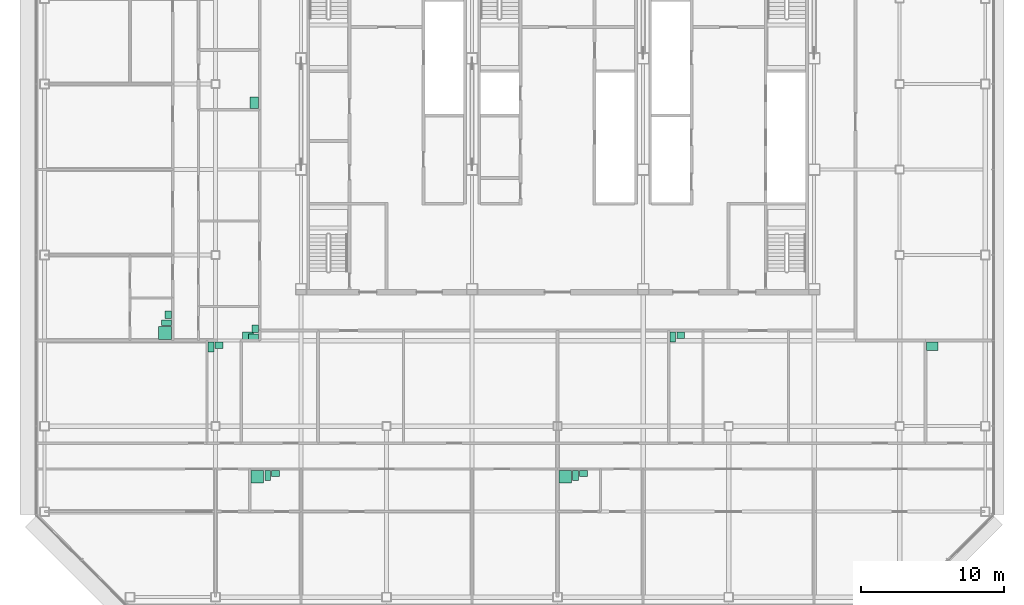
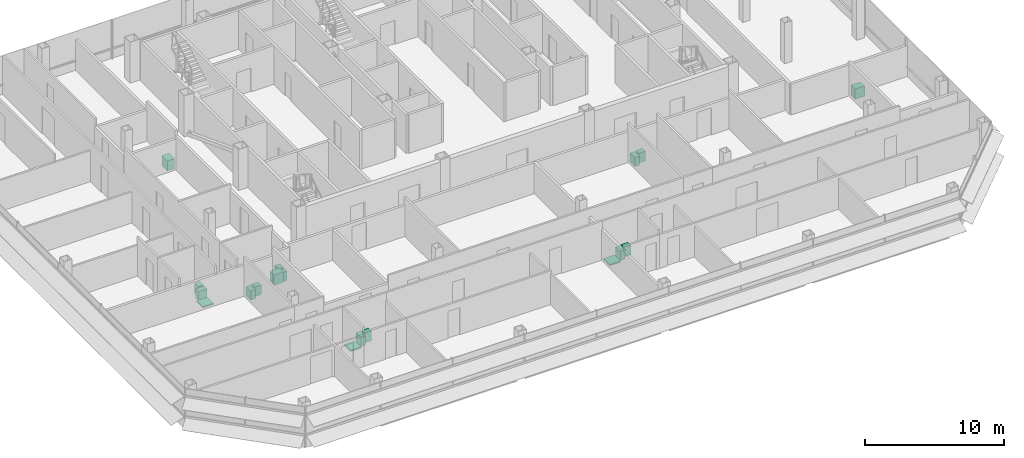
# One storey, part 26 of 26: 18 sanitary terminals.
"""IFC4 building model written with IfcOpenShell, lengths in metres."""

from ifc_helpers import new_model, si_unit, direction, frame, origin, origin_2d, place, context, subcontext, project, spatial, rectangle, extrude, element, save


model = new_model("IFC4")

# Units and contexts
model_context = context("Model", 3, precision=1e-05, world=origin(), true_north=direction((0.0, 1.0)))
body_context = subcontext(model_context, "Body", "Model", "MODEL_VIEW")
ifc_project = project(units=[si_unit("LENGTHUNIT", "METRE"), si_unit("AREAUNIT", "SQUARE_METRE"), si_unit("VOLUMEUNIT", "CUBIC_METRE"), si_unit("PLANEANGLEUNIT", "RADIAN"), si_unit("MASSUNIT", "GRAM", prefix="KILO")], contexts=[model_context])

# Site, building, storey
site_placement = place(None, origin())
site = spatial("IfcSite", under=ifc_project, at=site_placement, CompositionType="ELEMENT")
building_placement = place(site_placement, origin())
building = spatial("IfcBuilding", under=site, at=building_placement, Name="Sorahane Residences", CompositionType="ELEMENT")
storey_placement = place(building_placement, frame((0.0, 0.0, 219.0)))
storey = spatial("IfcBuildingStorey", under=building, at=storey_placement, Name="L51", CompositionType="ELEMENT", Elevation=219.0)

# Sanitary terminals
sanitary_terminal_1_placement = place(storey_placement, frame((2.929931640625, 8.449951171875, 0.0), z_axis=(0.0, 0.0, 1.0), x_axis=(1.0, 0.0, 0.0)))
element("IfcSanitaryTerminal", 1, at=sanitary_terminal_1_placement, inside=storey, Name="Shower tray En-suite bathroom 51A", PredefinedType="SHOWER", context=body_context, shape_type="SweptSolid", body=[
    extrude(rectangle(XDim=0.89990234375, YDim=0.89990234375, at=origin_2d()), origin(), (0.0, 0.0, 1.0), 0.1201171875),
])
sanitary_terminal_2_placement = place(storey_placement, frame((3.659912109375, 8.550048828125, 0.0), z_axis=(0.0, 0.0, 1.0), x_axis=(1.0, 0.0, 0.0)))
element("IfcSanitaryTerminal", 2, at=sanitary_terminal_2_placement, inside=storey, Name="WC pan En-suite bathroom 51A", PredefinedType="TOILETPAN", context=body_context, shape_type="SweptSolid", body=[
    extrude(rectangle(XDim=0.39990234375, YDim=0.699951171875, at=origin_2d()), origin(), (0.0, 0.0, 1.0), 0.800048828125),
])
sanitary_terminal_3_placement = place(storey_placement, frame((4.215087890625, 8.675048828125, 0.0), z_axis=(0.0, 0.0, 1.0), x_axis=(1.0, 0.0, 0.0)))
element("IfcSanitaryTerminal", 3, at=sanitary_terminal_3_placement, inside=storey, Name="Wash basin En-suite bathroom 51A", PredefinedType="WASHHANDBASIN", context=body_context, shape_type="SweptSolid", body=[
    extrude(rectangle(XDim=0.550048828125, YDim=0.449951171875, at=origin_2d()), origin(), (0.0, 0.0, 1.0), 0.85009765625),
])
sanitary_terminal_4_placement = place(storey_placement, frame((-0.320068359375, 17.550048828125, 0.0), z_axis=(0.0, 0.0, 1.0), x_axis=(1.0, 0.0, 0.0)))
element("IfcSanitaryTerminal", 4, at=sanitary_terminal_4_placement, inside=storey, Name="WC pan Powder room 51A", PredefinedType="TOILETPAN", context=body_context, shape_type="SweptSolid", body=[
    extrude(rectangle(XDim=0.39990234375, YDim=0.699951171875, at=origin_2d()), origin(), (0.0, 0.0, 1.0), 0.800048828125),
])
sanitary_terminal_5_placement = place(storey_placement, frame((0.235107421875, 17.675048828125, 0.0), z_axis=(0.0, 0.0, 1.0), x_axis=(1.0, 0.0, 0.0)))
element("IfcSanitaryTerminal", 5, at=sanitary_terminal_5_placement, inside=storey, Name="Wash basin Powder room 51A", PredefinedType="WASHHANDBASIN", context=body_context, shape_type="SweptSolid", body=[
    extrude(rectangle(XDim=0.550048828125, YDim=0.449951171875, at=origin_2d()), origin(), (0.0, 0.0, 1.0), 0.85009765625),
])
sanitary_terminal_6_placement = place(storey_placement, frame((2.280029296875, 18.300048828125, 0.0), z_axis=(0.0, 0.0, 1.0), x_axis=(1.0, 0.0, 0.0)))
element("IfcSanitaryTerminal", 6, at=sanitary_terminal_6_placement, inside=storey, Name="Kitchen sink Kitchen 51A", PredefinedType="SINK", context=body_context, shape_type="SweptSolid", body=[
    extrude(rectangle(XDim=0.800048828125, YDim=0.60009765625, at=origin_2d()), origin(), (0.0, 0.0, 1.0), 0.89990234375),
])
sanitary_terminal_7_placement = place(storey_placement, frame((24.530029296875, 8.449951171875, 0.0), z_axis=(0.0, 0.0, 1.0), x_axis=(1.0, 0.0, 0.0)))
element("IfcSanitaryTerminal", 7, at=sanitary_terminal_7_placement, inside=storey, Name="Shower tray En-suite bathroom 51B", PredefinedType="SHOWER", context=body_context, shape_type="SweptSolid", body=[
    extrude(rectangle(XDim=0.89990234375, YDim=0.89990234375, at=origin_2d()), origin(), (0.0, 0.0, 1.0), 0.1201171875),
])
sanitary_terminal_8_placement = place(storey_placement, frame((25.260009765625, 8.550048828125, 0.0), z_axis=(0.0, 0.0, 1.0), x_axis=(1.0, 0.0, 0.0)))
element("IfcSanitaryTerminal", 8, at=sanitary_terminal_8_placement, inside=storey, Name="WC pan En-suite bathroom 51B", PredefinedType="TOILETPAN", context=body_context, shape_type="SweptSolid", body=[
    extrude(rectangle(XDim=0.39990234375, YDim=0.699951171875, at=origin_2d()), origin(), (0.0, 0.0, 1.0), 0.800048828125),
])
sanitary_terminal_9_placement = place(storey_placement, frame((25.81494140625, 8.675048828125, 0.0), z_axis=(0.0, 0.0, 1.0), x_axis=(1.0, 0.0, 0.0)))
element("IfcSanitaryTerminal", 9, at=sanitary_terminal_9_placement, inside=storey, Name="Wash basin En-suite bathroom 51B", PredefinedType="WASHHANDBASIN", context=body_context, shape_type="SweptSolid", body=[
    extrude(rectangle(XDim=0.550048828125, YDim=0.449951171875, at=origin_2d()), origin(), (0.0, 0.0, 1.0), 0.85009765625),
])
sanitary_terminal_10_placement = place(storey_placement, frame((32.080078125, 18.25, 0.0), z_axis=(0.0, 0.0, 1.0), x_axis=(1.0, 0.0, 0.0)))
element("IfcSanitaryTerminal", 10, at=sanitary_terminal_10_placement, inside=storey, Name="WC pan Powder room 51B", PredefinedType="TOILETPAN", context=body_context, shape_type="SweptSolid", body=[
    extrude(rectangle(XDim=0.39990234375, YDim=0.699951171875, at=origin_2d()), origin(), (0.0, 0.0, 1.0), 0.800048828125),
])
sanitary_terminal_11_placement = place(storey_placement, frame((32.635009765625, 18.375, 0.0), z_axis=(0.0, 0.0, 1.0), x_axis=(1.0, 0.0, 0.0)))
element("IfcSanitaryTerminal", 11, at=sanitary_terminal_11_placement, inside=storey, Name="Wash basin Powder room 51B", PredefinedType="WASHHANDBASIN", context=body_context, shape_type="SweptSolid", body=[
    extrude(rectangle(XDim=0.550048828125, YDim=0.449951171875, at=origin_2d()), origin(), (0.0, 0.0, 1.0), 0.85009765625),
])
sanitary_terminal_12_placement = place(storey_placement, frame((50.280029296875, 17.60009765625, 0.0), z_axis=(0.0, 0.0, 1.0), x_axis=(1.0, 0.0, 0.0)))
element("IfcSanitaryTerminal", 12, at=sanitary_terminal_12_placement, inside=storey, Name="Kitchen sink Kitchen 51B", PredefinedType="SINK", context=body_context, shape_type="SweptSolid", body=[
    extrude(rectangle(XDim=0.800048828125, YDim=0.60009765625, at=origin_2d()), origin(), (0.0, 0.0, 1.0), 0.89990234375),
])
sanitary_terminal_13_placement = place(storey_placement, frame((-3.550048828125, 18.530029296875, 0.0), z_axis=(0.0, 0.0, 1.0), x_axis=(0.0, -1.0, 0.0)))
element("IfcSanitaryTerminal", 13, at=sanitary_terminal_13_placement, inside=storey, Name="Shower tray En-suite bathroom 51C", PredefinedType="SHOWER", context=body_context, shape_type="SweptSolid", body=[
    extrude(rectangle(XDim=0.89990234375, YDim=0.89990234375, at=origin_2d()), origin(), (0.0, 0.0, 1.0), 0.1201171875),
])
sanitary_terminal_14_placement = place(storey_placement, frame((-3.449951171875, 19.260009765625, 0.0), z_axis=(0.0, 0.0, 1.0), x_axis=(0.0, -1.0, 0.0)))
element("IfcSanitaryTerminal", 14, at=sanitary_terminal_14_placement, inside=storey, Name="WC pan En-suite bathroom 51C", PredefinedType="TOILETPAN", context=body_context, shape_type="SweptSolid", body=[
    extrude(rectangle(XDim=0.39990234375, YDim=0.699951171875, at=origin_2d()), origin(), (0.0, 0.0, 1.0), 0.800048828125),
])
sanitary_terminal_15_placement = place(storey_placement, frame((-3.324951171875, 19.81494140625, 0.0), z_axis=(0.0, 0.0, 1.0), x_axis=(0.0, -1.0, 0.0)))
element("IfcSanitaryTerminal", 15, at=sanitary_terminal_15_placement, inside=storey, Name="Wash basin En-suite bathroom 51C", PredefinedType="WASHHANDBASIN", context=body_context, shape_type="SweptSolid", body=[
    extrude(rectangle(XDim=0.550048828125, YDim=0.449951171875, at=origin_2d()), origin(), (0.0, 0.0, 1.0), 0.85009765625),
])
sanitary_terminal_16_placement = place(storey_placement, frame((2.64990234375, 18.280029296875, 0.0), z_axis=(0.0, 0.0, 1.0), x_axis=(0.0, -1.0, 0.0)))
element("IfcSanitaryTerminal", 16, at=sanitary_terminal_16_placement, inside=storey, Name="WC pan Guest WC 51C", PredefinedType="TOILETPAN", context=body_context, shape_type="SweptSolid", body=[
    extrude(rectangle(XDim=0.39990234375, YDim=0.699951171875, at=origin_2d()), origin(), (0.0, 0.0, 1.0), 0.800048828125),
])
sanitary_terminal_17_placement = place(storey_placement, frame((2.77490234375, 18.8349609375, 0.0), z_axis=(0.0, 0.0, 1.0), x_axis=(0.0, -1.0, 0.0)))
element("IfcSanitaryTerminal", 17, at=sanitary_terminal_17_placement, inside=storey, Name="Wash basin Guest WC 51C", PredefinedType="WASHHANDBASIN", context=body_context, shape_type="SweptSolid", body=[
    extrude(rectangle(XDim=0.550048828125, YDim=0.449951171875, at=origin_2d()), origin(), (0.0, 0.0, 1.0), 0.85009765625),
])
sanitary_terminal_18_placement = place(storey_placement, frame((2.699951171875, 34.679931640625, 0.0), z_axis=(0.0, 0.0, 1.0), x_axis=(0.0, -1.0, 0.0)))
element("IfcSanitaryTerminal", 18, at=sanitary_terminal_18_placement, inside=storey, Name="Kitchen sink Kitchen 51C", PredefinedType="SINK", context=body_context, shape_type="SweptSolid", body=[
    extrude(rectangle(XDim=0.800048828125, YDim=0.60009765625, at=origin_2d()), origin(), (0.0, 0.0, 1.0), 0.89990234375),
])

save(model, "model.ifc")
